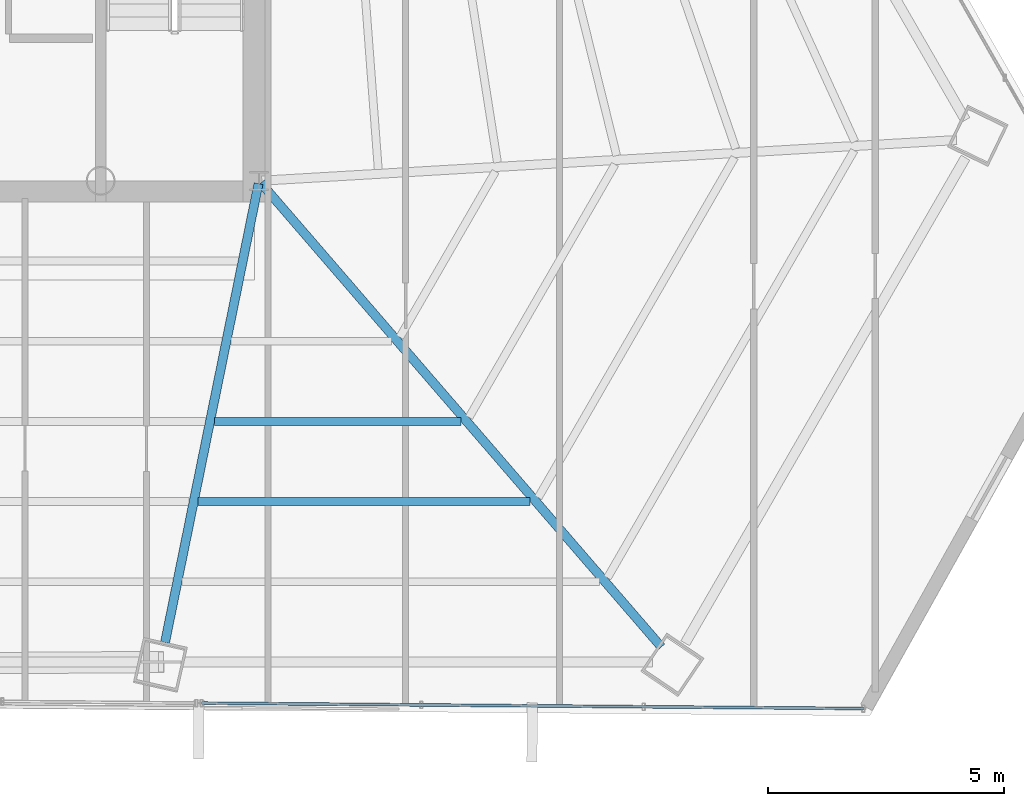
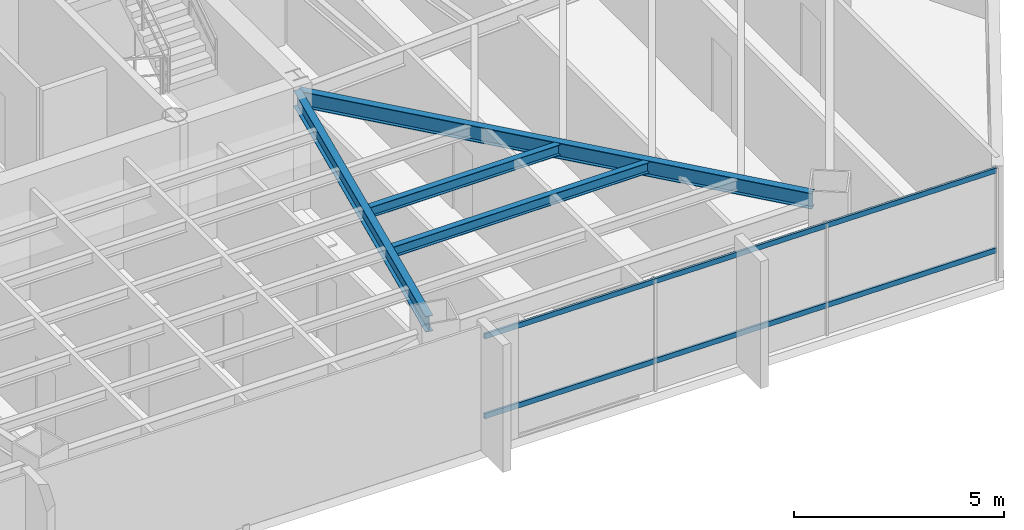
# One storey, part 18 of 40: 4 beams, 2 members, 1 element without a shape of its own.
"""IFC4 building model written with IfcOpenShell, lengths in metres."""

from ifc_helpers import new_model, si_unit, direction, frame, origin, origin_2d, place, context, subcontext, project, spatial, hollow_rectangle, i_section, extrude, source, transform, mapped, material, material_profile, profile_set, type_object, type_shapes, element, aggregate, save


model = new_model("IFC4")

# Units and contexts
model_context = context("Model", 3, precision=1e-05, world=origin(), true_north=direction((0.0, 1.0)))
body_context = subcontext(model_context, "Body", "Model", "MODEL_VIEW")
ifc_project = project(units=[si_unit("LENGTHUNIT", "METRE"), si_unit("AREAUNIT", "SQUARE_METRE"), si_unit("VOLUMEUNIT", "CUBIC_METRE"), si_unit("PLANEANGLEUNIT", "RADIAN"), si_unit("MASSUNIT", "GRAM", prefix="KILO")], contexts=[model_context])

# Site, building, storey
site_placement = place(None, origin())
site = spatial("IfcSite", under=ifc_project, at=site_placement, CompositionType="ELEMENT")
building_placement = place(site_placement, origin())
building = spatial("IfcBuilding", under=site, at=building_placement, Name="Caelisora Broadcast Tower", CompositionType="ELEMENT")
storey_placement = place(building_placement, frame((0.0, 0.0, 146.39990234375)))
storey = spatial("IfcBuildingStorey", under=building, at=storey_placement, Name="L38", CompositionType="ELEMENT", Elevation=146.39990234375)

# Beams
ifc_material_1 = material(Name="Steel Grade 350 (AS/NZS 3679.1)", Category="steel")
ifc_material_profile_1 = material_profile(ifc_material_1, i_section(OverallWidth=0.19091796875, OverallDepth=0.46044921875, WebThickness=0.010009765625, FlangeThickness=0.01611328125, at=origin_2d()), Name="Steel Grade 350 (AS/NZS 3679.1)")
ifc_profile_set_1 = profile_set([ifc_material_profile_1], Name="Steel Grade 350 (AS/NZS 3679.1)")
beam_type_1 = type_object("IfcBeamType", Name="PG06", PredefinedType="BEAM", material=ifc_profile_set_1)
shared_shape_1 = source(origin(), body_context, "Body", "SweptSolid", [
    extrude(i_section(OverallWidth=0.19091796875, OverallDepth=0.46044921875, WebThickness=0.010009765625, FlangeThickness=0.01611328125, at=origin_2d()), origin(), (0.0, 0.0, 1.0), 12.9599609375),
])
beam_1_placement = place(storey_placement, frame((45.539306640625, 17.3544921875, 3.02001953125), z_axis=(0.653381474359, -0.757028829679, 0.0), x_axis=(0.757028829679, 0.653381474359, 0.0)))
element("IfcBeam", 1, at=beam_1_placement, inside=storey, type_object=beam_type_1, Name="L38 beam PG06", PredefinedType="BEAM", context=body_context, shape_type="MappedRepresentation", body=[
    mapped(shared_shape_1, transform((0.0, 0.0, 0.0), scale=1.0)),
])
shared_shape_2 = source(origin(), body_context, "Body", "SweptSolid", [
    extrude(i_section(OverallWidth=0.19091796875, OverallDepth=0.46044921875, WebThickness=0.010009765625, FlangeThickness=0.01611328125, at=origin_2d()), origin(), (0.0, 0.0, 1.0), 9.90380859375),
])
type_shapes(beam_type_1, [shared_shape_1, shared_shape_2])
beam_2_placement = place(storey_placement, frame((45.488037109375, 17.34130859375, 3.02001953125), z_axis=(-0.199627713088, -0.979871816192, 0.0), x_axis=(0.979871816192, -0.199627713088, 0.0)))
element("IfcBeam", 2, at=beam_2_placement, inside=storey, type_object=beam_type_1, Name="L38 beam PG06", PredefinedType="BEAM", context=body_context, shape_type="MappedRepresentation", body=[
    mapped(shared_shape_2, transform((0.0, 0.0, 0.0), scale=1.0)),
])
ifc_material_profile_2 = material_profile(ifc_material_1, i_section(OverallWidth=0.166015625, OverallDepth=0.30712890625, WebThickness=0.006591796875, FlangeThickness=0.01171875, at=origin_2d()), Name="Steel Grade 350 (AS/NZS 3679.1)")
ifc_profile_set_2 = profile_set([ifc_material_profile_2], Name="Steel Grade 350 (AS/NZS 3679.1)")
beam_type_2 = type_object("IfcBeamType", Name="SB03", PredefinedType="JOIST", material=ifc_profile_set_2)
shared_shape_3 = source(origin(), body_context, "Body", "SweptSolid", [
    extrude(i_section(OverallWidth=0.166015625, OverallDepth=0.30712890625, WebThickness=0.006591796875, FlangeThickness=0.01171875, at=origin_2d()), origin(), (0.0, 0.0, 1.0), 5.20947265625),
])
beam_3_placement = place(storey_placement, frame((44.55810546875, 12.312744140625, 3.096435546875), z_axis=(1.0, 0.0, 0.0), x_axis=(0.0, 1.0, 0.0)))
element("IfcBeam", 3, at=beam_3_placement, inside=storey, type_object=beam_type_2, Name="L38 beam SB03", PredefinedType="JOIST", context=body_context, shape_type="MappedRepresentation", body=[
    mapped(shared_shape_3, transform((0.0, 0.0, 0.0), scale=1.0)),
])
shared_shape_4 = source(origin(), body_context, "Body", "SweptSolid", [
    extrude(i_section(OverallWidth=0.166015625, OverallDepth=0.30712890625, WebThickness=0.006591796875, FlangeThickness=0.01171875, at=origin_2d()), origin(), (0.0, 0.0, 1.0), 7.0185546875),
])
type_shapes(beam_type_2, [shared_shape_3, shared_shape_4])
beam_4_placement = place(storey_placement, frame((44.212646484375, 10.616943359375, 3.096435546875), z_axis=(1.0, 0.0, 0.0), x_axis=(0.0, 1.0, 0.0)))
element("IfcBeam", 4, at=beam_4_placement, inside=storey, type_object=beam_type_2, Name="L38 beam SB03", PredefinedType="JOIST", context=body_context, shape_type="MappedRepresentation", body=[
    mapped(shared_shape_4, transform((0.0, 0.0, 0.0), scale=1.0)),
])

# Curtain wall, members
ifc_material_2 = material(Name="Unitised Aluminium and Low-E Glass Curtain Wall", Category="glass")
curtain_wall_type = type_object("IfcCurtainWallType", Name="CW-Z3", PredefinedType="NOTDEFINED", material=ifc_material_2)
curtain_wall_placement = place(storey_placement, origin())
curtain_wall = element("IfcCurtainWall", 5, at=curtain_wall_placement, inside=storey, type_object=curtain_wall_type, Name="L38 curtain wall CW-Z3", PredefinedType="NOTDEFINED")
ifc_material_3 = material(Name="Aluminium 6063-T6 Anodised Terracotta Bronze", Category="aluminium")
ifc_material_profile_3 = material_profile(ifc_material_3, hollow_rectangle(XDim=0.06005859375, YDim=0.14990234375, WallThickness=0.00341796875, at=origin_2d()), Name="Aluminium 6063-T6 Anodised Terracotta Bronze")
ifc_profile_set_3 = profile_set([ifc_material_profile_3], Name="Aluminium 6063-T6 Anodised Terracotta Bronze")
member_type = type_object("IfcMemberType", Name="CWT-02", PredefinedType="USERDEFINED", material=ifc_profile_set_3)
shared_shape_5 = source(origin(), body_context, "Body", "SweptSolid", [
    extrude(hollow_rectangle(XDim=0.06005859375, YDim=0.14990234375, WallThickness=0.00341796875, at=origin_2d()), origin(), (0.0, 0.0, 1.0), 13.996337890625),
])
type_shapes(member_type, [shared_shape_5])
member_1_placement = place(storey_placement, frame((58.280029296875, 6.240478515625, 0.85009765625), z_axis=(-0.999966106728, 0.008233188591, 0.0), x_axis=(-0.008233188591, -0.999966106728, 0.0)))
member_1 = element("IfcMember", 6, at=member_1_placement, type_object=member_type, Name="L38-CW-B05 transom #1", ObjectType="TRANSOM", PredefinedType="USERDEFINED", context=body_context, shape_type="MappedRepresentation", body=[
    mapped(shared_shape_5, transform((0.0, 0.0, 0.0), scale=1.0)),
])
member_2_placement = place(storey_placement, frame((58.280029296875, 6.240478515625, 3.170166015625), z_axis=(-0.999966106728, 0.008233188591, 0.0), x_axis=(-0.008233188591, -0.999966106728, 0.0)))
member_2 = element("IfcMember", 7, at=member_2_placement, type_object=member_type, Name="L38-CW-B05 transom #2", ObjectType="TRANSOM", PredefinedType="USERDEFINED", context=body_context, shape_type="MappedRepresentation", body=[
    mapped(shared_shape_5, transform((0.0, 0.0, 0.0), scale=1.0)),
])
aggregate(curtain_wall, [member_1, member_2])

save(model, "model.ifc")
